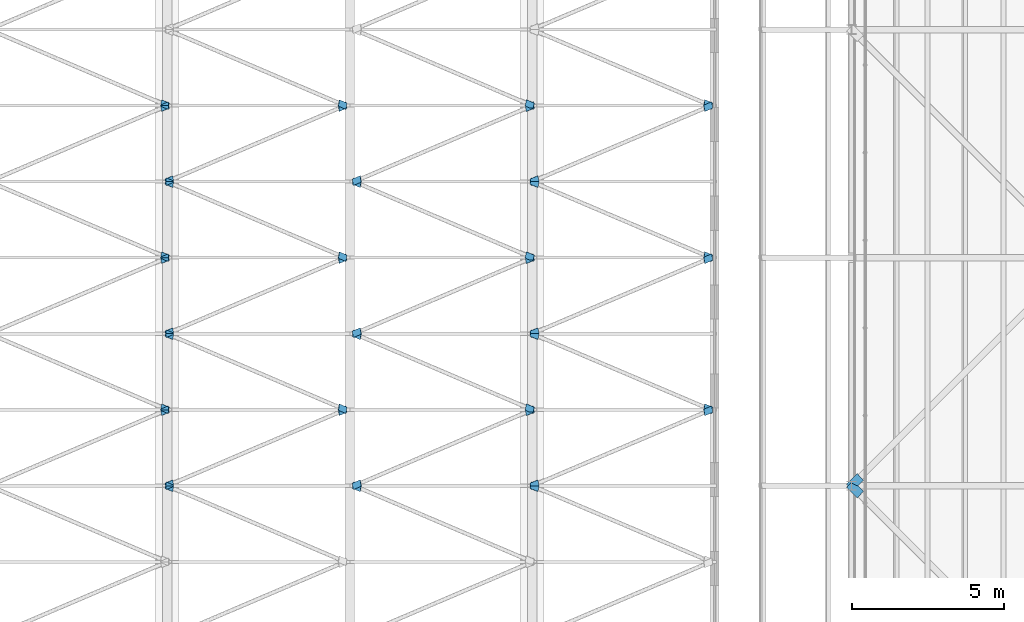
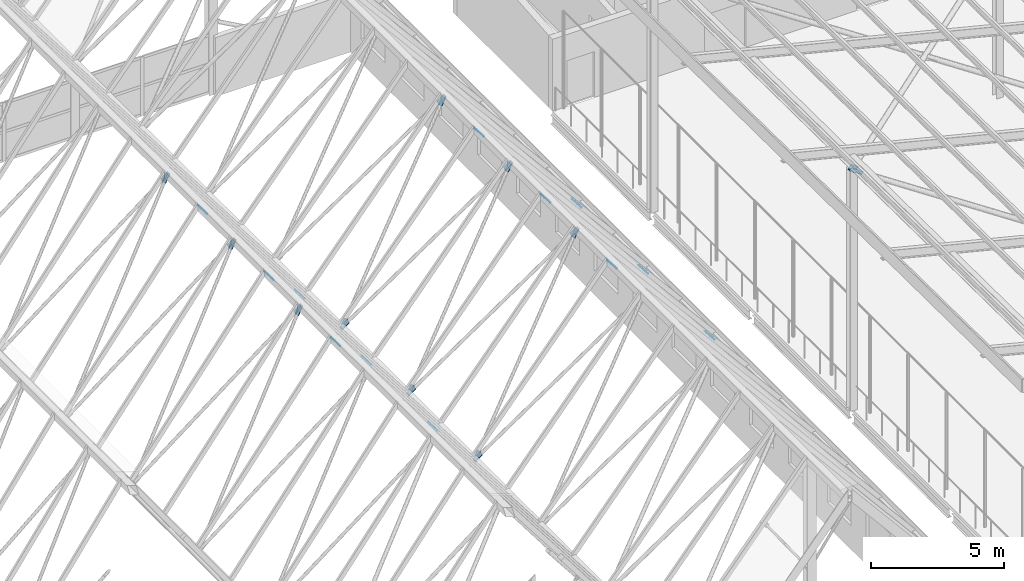
# One storey, part 430 of 483: 44 discrete accessories.
"""IFC4 building model written with IfcOpenShell, lengths in metres."""

from ifc_helpers import new_model, si_unit, direction, frame, origin, place, context, subcontext, project, spatial, polyline, outline, extrude, material, layer, layer_set, type_object, element, save


model = new_model("IFC4")

# Units and contexts
model_context = context("Model", 3, precision=1e-05, world=origin(), true_north=direction((0.0, 1.0)))
body_context = subcontext(model_context, "Body", "Model", "MODEL_VIEW")
ifc_project = project(units=[si_unit("LENGTHUNIT", "METRE"), si_unit("AREAUNIT", "SQUARE_METRE"), si_unit("VOLUMEUNIT", "CUBIC_METRE"), si_unit("PLANEANGLEUNIT", "RADIAN"), si_unit("MASSUNIT", "GRAM", prefix="KILO")], contexts=[model_context])

# Site, building, storey
site_placement = place(None, origin())
site = spatial("IfcSite", under=ifc_project, at=site_placement, CompositionType="ELEMENT")
building_placement = place(site_placement, origin())
building = spatial("IfcBuilding", under=site, at=building_placement, Name="Parallax Yard Mobility Hub", CompositionType="ELEMENT")
storey_placement = place(building_placement, frame((0.0, 0.0, 13.199951171875)))
storey = spatial("IfcBuildingStorey", under=building, at=storey_placement, Name="L04", CompositionType="ELEMENT", Elevation=13.199951171875)

# Discrete accessories
ifc_material = material(Name="Steel ASTM A36", Category="steel")
ifc_layer = layer(ifc_material, 0.011962890625)
ifc_layer_set = layer_set([ifc_layer], Name="Gusset plate PL12")
discrete_accessory_type = type_object("IfcDiscreteAccessoryType", Name="Gusset plate PL12", PredefinedType="BRACKET", material=ifc_layer_set)
discrete_accessory_1_placement = place(storey_placement, frame((75.216796875, 22.520751953125, 10.7568359375), z_axis=(0.793814652536, -8.9168627e-05, 0.608159756534), x_axis=(-0.588543803206, 0.251817654929, 0.768247395292)))
element("IfcDiscreteAccessory", 1, at=discrete_accessory_1_placement, inside=storey, type_object=discrete_accessory_type, Name="Gusset plate PL12 at end 2 of Plate diagonal plate F12-F13 bay 6", PredefinedType="BRACKET", context=body_context, shape_type="SweptSolid", body=[
    extrude(outline(polyline([(0.0, 0.0), (0.41979936098883397, -2.7755575615628914e-17), (0.4198409621977497, 0.21973808712240064), (4.1601208915741095e-05, 0.21973808712240064), (0.0, 0.0)])), origin(), (0.0, 0.0, -1.0), 0.011962890625),
])
discrete_accessory_2_placement = place(storey_placement, frame((81.381591796875, 22.51611328125, 3.6806640625), z_axis=(-0.766426841757, 0.000485063303, 0.642331426094), x_axis=(-0.619317240789, 0.264724925871, -0.739166333706)))
element("IfcDiscreteAccessory", 2, at=discrete_accessory_2_placement, inside=storey, type_object=discrete_accessory_type, Name="Gusset plate PL12 at end 2 of Plate diagonal plate F13-F14 bay 6", PredefinedType="BRACKET", context=body_context, shape_type="SweptSolid", body=[
    extrude(outline(polyline([(0.0, 0.0), (0.4196201041303643, 0.0), (0.41967912299094895, 0.2197701569995703), (2.9758828134156257e-05, 0.21976229757594196), (0.0, 0.0)])), origin(), (0.0, 0.0, -1.0), 0.011962890625),
])
discrete_accessory_3_placement = place(storey_placement, frame((87.22900390625, 22.516357421875, 10.112060546875), z_axis=(0.766560723471, 0.000412226513, 0.642171696123), x_axis=(-0.619460290951, 0.264070357105, 0.73928059249)))
element("IfcDiscreteAccessory", 3, at=discrete_accessory_3_placement, inside=storey, type_object=discrete_accessory_type, Name="Gusset plate PL12 at end 2 of Plate diagonal plate F14-F15 bay 6", PredefinedType="BRACKET", context=body_context, shape_type="SweptSolid", body=[
    extrude(outline(polyline([(0.0, 0.0), (0.41973603150491046, 0.0), (0.41954801679147935, 0.21991479661479002), (-0.00012354441140352557, 0.21967932216861122), (0.0, 0.0)])), origin(), (0.0, 0.0, -1.0), 0.011962890625),
])
for number, where, z_axis, x_axis, name in (
    (4, (74.81689453125, 24.80810546875, 10.80078125), (-0.793814652536, -8.9168627e-05, 0.608159756534), (0.588543803206, 0.251817654929, 0.768247395292), "Gusset plate PL12 at end 2 of Plate diagonal plate F11-F12 bay 7"),
    (5, (75.18310546875, 22.69189453125, 10.80078125), (0.793814652536, 8.9168627e-05, 0.608159756534), (-0.588543803206, -0.251817654929, 0.768247395292), "Gusset plate PL12 at end 1 of Plate diagonal plate F12-F13 bay 7"),
):
    element("IfcDiscreteAccessory", number, at=place(storey_placement, frame(where, z_axis=z_axis, x_axis=x_axis)), inside=storey, type_object=discrete_accessory_type, Name=name, PredefinedType="BRACKET", context=body_context, shape_type="SweptSolid", body=[
        extrude(outline(polyline([(0.0, 0.0), (0.41979936098883397, 2.7755575615628914e-17), (0.4197577597799182, 0.2197380871224007), (-4.1601208915741095e-05, 0.21973808712240064), (0.0, 0.0)])), origin(), (0.0, 0.0, -1.0), 0.011962890625),
    ])
discrete_accessory_4_placement = place(storey_placement, frame((80.664306640625, 24.80810546875, 3.6484375), z_axis=(0.793746279753, -0.000395732461, 0.60824886911), x_axis=(0.588740604162, 0.251731563359, -0.768124808231)))
element("IfcDiscreteAccessory", 6, at=discrete_accessory_4_placement, inside=storey, type_object=discrete_accessory_type, Name="Gusset plate PL12 at end 2 of Plate diagonal plate F12-F13 bay 7", PredefinedType="BRACKET", context=body_context, shape_type="SweptSolid", body=[
    extrude(outline(polyline([(0.0, 0.0), (0.4199430836483414, 0.0), (0.4198819319954805, 0.21973806118904854), (8.258384620210557e-05, 0.21970075370203399), (0.0, 0.0)])), origin(), (0.0, 0.0, -1.0), 0.011962890625),
])
discrete_accessory_5_placement = place(storey_placement, frame((81.343994140625, 22.69580078125, 3.63623046875), z_axis=(-0.766426841757, -0.000485063303, 0.642331426094), x_axis=(-0.619320432019, -0.264706865438, -0.739170127828)))
element("IfcDiscreteAccessory", 7, at=discrete_accessory_5_placement, inside=storey, type_object=discrete_accessory_type, Name="Gusset plate PL12 at end 1 of Plate diagonal plate F13-F14 bay 7", PredefinedType="BRACKET", context=body_context, shape_type="SweptSolid", body=[
    extrude(outline(polyline([(0.0, 0.0), (0.41964936423641264, 0.0), (0.4195862293997118, 0.2197701558556896), (-3.38746570599166e-05, 0.21976229698006056), (0.0, 0.0)])), origin(), (0.0, 0.0, -1.0), 0.011962890625),
])
discrete_accessory_6_placement = place(storey_placement, frame((86.808349609375, 24.80419921875, 10.15673828125), z_axis=(-0.766747811527, 0.000630720842, 0.641948125403), x_axis=(0.619177335166, 0.264706510349, 0.739290126402)))
element("IfcDiscreteAccessory", 8, at=discrete_accessory_6_placement, inside=storey, type_object=discrete_accessory_type, Name="Gusset plate PL12 at end 2 of Plate diagonal plate F13-F14 bay 7", PredefinedType="BRACKET", context=body_context, shape_type="SweptSolid", body=[
    extrude(outline(polyline([(0.0, 0.0), (0.41964938903380067, 0.0), (0.41973732919648377, 0.21972883072808136), (-6.32261789101779e-05, 0.21977020317984158), (0.0, 0.0)])), origin(), (0.0, 0.0, -1.0), 0.011962890625),
])
discrete_accessory_7_placement = place(storey_placement, frame((87.19189453125, 22.695556640625, 10.156494140625), z_axis=(0.766560723471, -0.000412226513, 0.642171696123), x_axis=(-0.619555171614, -0.263529140311, 0.739394199013)))
element("IfcDiscreteAccessory", 9, at=discrete_accessory_7_placement, inside=storey, type_object=discrete_accessory_type, Name="Gusset plate PL12 at end 1 of Plate diagonal plate F14-F15 bay 7", PredefinedType="BRACKET", context=body_context, shape_type="SweptSolid", body=[
    extrude(outline(polyline([(0.0, 0.0), (0.41967162726431706, 0.0), (0.41973624948705845, 0.21991486749109354), (2.840537202744575e-07, 0.21967935690820234), (0.0, 0.0)])), origin(), (0.0, 0.0, -1.0), 0.011962890625),
])
discrete_accessory_8_placement = place(storey_placement, frame((92.68115234375, 24.804443359375, 3.60595703125), z_axis=(0.766350564195, -6.0395944e-05, 0.642422609433), x_axis=(0.619726092025, 0.263529133346, -0.739250949774)))
element("IfcDiscreteAccessory", 10, at=discrete_accessory_8_placement, inside=storey, type_object=discrete_accessory_type, Name="Gusset plate PL12 at end 2 of Plate diagonal plate F14-F15 bay 7", PredefinedType="BRACKET", context=body_context, shape_type="SweptSolid", body=[
    extrude(outline(polyline([(0.0, 0.0), (0.41967161683953713, 0.0), (0.4197362599134438, 0.21991484759097396), (-0.0001509954088498508, 0.2197206583795808), (0.0, 0.0)])), origin(), (0.0, 0.0, -1.0), 0.011962890625),
])
discrete_accessory_9_placement = place(storey_placement, frame((74.783203125, 24.979248046875, 10.7568359375), z_axis=(-0.793814652536, 8.9168627e-05, 0.608159756534), x_axis=(0.588543803206, -0.251817654929, 0.768247395292)))
element("IfcDiscreteAccessory", 11, at=discrete_accessory_9_placement, inside=storey, type_object=discrete_accessory_type, Name="Gusset plate PL12 at end 1 of Plate diagonal plate F11-F12 bay 8", PredefinedType="BRACKET", context=body_context, shape_type="SweptSolid", body=[
    extrude(outline(polyline([(0.0, 0.0), (0.41979936098883397, -2.7755575615628914e-17), (0.4198409621977497, 0.21973808712240064), (4.1601208915741095e-05, 0.21973808712240064), (0.0, 0.0)])), origin(), (0.0, 0.0, -1.0), 0.011962890625),
])
discrete_accessory_10_placement = place(storey_placement, frame((80.630859375, 24.979248046875, 3.6923828125), z_axis=(0.793746279753, 0.000395732461, 0.60824886911), x_axis=(0.588727021511, -0.251817570299, -0.768107027328)))
element("IfcDiscreteAccessory", 12, at=discrete_accessory_10_placement, inside=storey, type_object=discrete_accessory_type, Name="Gusset plate PL12 at end 1 of Plate diagonal plate F12-F13 bay 8", PredefinedType="BRACKET", context=body_context, shape_type="SweptSolid", body=[
    extrude(outline(polyline([(0.0, 0.0), (0.41979934980703304, -4.163336342344337e-17), (0.41984097338065895, 0.2197380657558558), (-0.00010210860936022553, 0.21970074549524257), (0.0, 0.0)])), origin(), (0.0, 0.0, -1.0), 0.011962890625),
])
discrete_accessory_11_placement = place(storey_placement, frame((75.216796875, 27.520751953125, 10.7568359375), z_axis=(0.793814652536, -8.9168627e-05, 0.608159756534), x_axis=(-0.588543803206, 0.251817654929, 0.768247395292)))
element("IfcDiscreteAccessory", 13, at=discrete_accessory_11_placement, inside=storey, type_object=discrete_accessory_type, Name="Gusset plate PL12 at end 2 of Plate diagonal plate F12-F13 bay 8", PredefinedType="BRACKET", context=body_context, shape_type="SweptSolid", body=[
    extrude(outline(polyline([(0.0, 0.0), (0.41979936098883397, -2.7755575615628914e-17), (0.4198409621977497, 0.21973808712240064), (4.1601208915741095e-05, 0.21973808712240064), (0.0, 0.0)])), origin(), (0.0, 0.0, -1.0), 0.011962890625),
])
discrete_accessory_12_placement = place(storey_placement, frame((86.77099609375, 24.98388671875, 10.112060546875), z_axis=(-0.766747811527, -0.000630720842, 0.641948125403), x_axis=(0.619194033043, -0.264611471916, 0.739310163851)))
element("IfcDiscreteAccessory", 14, at=discrete_accessory_12_placement, inside=storey, type_object=discrete_accessory_type, Name="Gusset plate PL12 at end 1 of Plate diagonal plate F13-F14 bay 8", PredefinedType="BRACKET", context=body_context, shape_type="SweptSolid", body=[
    extrude(outline(polyline([(0.0, 0.0), (0.41980055741407596, 1.3877787807814457e-17), (0.4197342721074152, 0.21972883832774476), (8.488511156258538e-05, 0.21977019588146246), (0.0, 0.0)])), origin(), (0.0, 0.0, -1.0), 0.011962890625),
])
discrete_accessory_13_placement = place(storey_placement, frame((81.381591796875, 27.51611328125, 3.6806640625), z_axis=(-0.766426841757, 0.000485063303, 0.642331426094), x_axis=(-0.619317240789, 0.264724925871, -0.739166333706)))
element("IfcDiscreteAccessory", 15, at=discrete_accessory_13_placement, inside=storey, type_object=discrete_accessory_type, Name="Gusset plate PL12 at end 2 of Plate diagonal plate F13-F14 bay 8", PredefinedType="BRACKET", context=body_context, shape_type="SweptSolid", body=[
    extrude(outline(polyline([(0.0, 0.0), (0.4196201041303643, 0.0), (0.41967912299094895, 0.2197701569995703), (2.9758828134156257e-05, 0.21976229757594196), (0.0, 0.0)])), origin(), (0.0, 0.0, -1.0), 0.011962890625),
])
discrete_accessory_14_placement = place(storey_placement, frame((92.643798828125, 24.983642578125, 3.650390625), z_axis=(0.766350564195, 6.0395944e-05, 0.642422609433), x_axis=(0.619647749995, -0.263975236545, -0.739157453062)))
element("IfcDiscreteAccessory", 16, at=discrete_accessory_14_placement, inside=storey, type_object=discrete_accessory_type, Name="Gusset plate PL12 at end 1 of Plate diagonal plate F14-F15 bay 8", PredefinedType="BRACKET", context=body_context, shape_type="SweptSolid", body=[
    extrude(outline(polyline([(0.0, 0.0), (0.4198873002265475, 0.0), (0.41972095108079355, 0.2199147941764037), (4.937912244436238e-05, 0.21972070471412608), (0.0, 0.0)])), origin(), (0.0, 0.0, -1.0), 0.011962890625),
])
discrete_accessory_15_placement = place(storey_placement, frame((87.22900390625, 27.516357421875, 10.112060546875), z_axis=(0.766560723471, 0.000412226513, 0.642171696123), x_axis=(-0.619460290951, 0.264070357105, 0.73928059249)))
element("IfcDiscreteAccessory", 17, at=discrete_accessory_15_placement, inside=storey, type_object=discrete_accessory_type, Name="Gusset plate PL12 at end 2 of Plate diagonal plate F14-F15 bay 8", PredefinedType="BRACKET", context=body_context, shape_type="SweptSolid", body=[
    extrude(outline(polyline([(0.0, 0.0), (0.41973603150491046, 0.0), (0.41954801679147935, 0.21991479661479002), (-0.00012354441140352557, 0.21967932216861122), (0.0, 0.0)])), origin(), (0.0, 0.0, -1.0), 0.011962890625),
])
for number, where, z_axis, x_axis, name in (
    (18, (74.81689453125, 29.80810546875, 10.80078125), (-0.793814652536, -8.9168627e-05, 0.608159756534), (0.588543803206, 0.251817654929, 0.768247395292), "Gusset plate PL12 at end 2 of Plate diagonal plate F11-F12 bay 9"),
    (19, (75.18310546875, 27.69189453125, 10.80078125), (0.793814652536, 8.9168627e-05, 0.608159756534), (-0.588543803206, -0.251817654929, 0.768247395292), "Gusset plate PL12 at end 1 of Plate diagonal plate F12-F13 bay 9"),
):
    element("IfcDiscreteAccessory", number, at=place(storey_placement, frame(where, z_axis=z_axis, x_axis=x_axis)), inside=storey, type_object=discrete_accessory_type, Name=name, PredefinedType="BRACKET", context=body_context, shape_type="SweptSolid", body=[
        extrude(outline(polyline([(0.0, 0.0), (0.41979936098883397, 2.7755575615628914e-17), (0.4197577597799182, 0.2197380871224007), (-4.1601208915741095e-05, 0.21973808712240064), (0.0, 0.0)])), origin(), (0.0, 0.0, -1.0), 0.011962890625),
    ])
discrete_accessory_16_placement = place(storey_placement, frame((80.664306640625, 29.80810546875, 3.6484375), z_axis=(0.793746279753, -0.000395732461, 0.60824886911), x_axis=(0.588740604162, 0.251731563359, -0.768124808231)))
element("IfcDiscreteAccessory", 20, at=discrete_accessory_16_placement, inside=storey, type_object=discrete_accessory_type, Name="Gusset plate PL12 at end 2 of Plate diagonal plate F12-F13 bay 9", PredefinedType="BRACKET", context=body_context, shape_type="SweptSolid", body=[
    extrude(outline(polyline([(0.0, 0.0), (0.4199430836483414, 0.0), (0.4198819319954805, 0.21973806118904854), (8.258384620210557e-05, 0.21970075370203399), (0.0, 0.0)])), origin(), (0.0, 0.0, -1.0), 0.011962890625),
])
discrete_accessory_17_placement = place(storey_placement, frame((81.343994140625, 27.69580078125, 3.63623046875), z_axis=(-0.766426841757, -0.000485063303, 0.642331426094), x_axis=(-0.619320432019, -0.264706865438, -0.739170127828)))
element("IfcDiscreteAccessory", 21, at=discrete_accessory_17_placement, inside=storey, type_object=discrete_accessory_type, Name="Gusset plate PL12 at end 1 of Plate diagonal plate F13-F14 bay 9", PredefinedType="BRACKET", context=body_context, shape_type="SweptSolid", body=[
    extrude(outline(polyline([(0.0, 0.0), (0.41964936423641264, 0.0), (0.4195862293997118, 0.2197701558556896), (-3.38746570599166e-05, 0.21976229698006056), (0.0, 0.0)])), origin(), (0.0, 0.0, -1.0), 0.011962890625),
])
discrete_accessory_18_placement = place(storey_placement, frame((86.808349609375, 29.80419921875, 10.15673828125), z_axis=(-0.766747811527, 0.000630720842, 0.641948125403), x_axis=(0.619177335166, 0.264706510349, 0.739290126402)))
element("IfcDiscreteAccessory", 22, at=discrete_accessory_18_placement, inside=storey, type_object=discrete_accessory_type, Name="Gusset plate PL12 at end 2 of Plate diagonal plate F13-F14 bay 9", PredefinedType="BRACKET", context=body_context, shape_type="SweptSolid", body=[
    extrude(outline(polyline([(0.0, 0.0), (0.41964938903380067, 0.0), (0.41973732919648377, 0.21972883072808136), (-6.32261789101779e-05, 0.21977020317984158), (0.0, 0.0)])), origin(), (0.0, 0.0, -1.0), 0.011962890625),
])
discrete_accessory_19_placement = place(storey_placement, frame((87.19189453125, 27.695556640625, 10.156494140625), z_axis=(0.766560723471, -0.000412226513, 0.642171696123), x_axis=(-0.619555171614, -0.263529140311, 0.739394199013)))
element("IfcDiscreteAccessory", 23, at=discrete_accessory_19_placement, inside=storey, type_object=discrete_accessory_type, Name="Gusset plate PL12 at end 1 of Plate diagonal plate F14-F15 bay 9", PredefinedType="BRACKET", context=body_context, shape_type="SweptSolid", body=[
    extrude(outline(polyline([(0.0, 0.0), (0.41967162726431706, 0.0), (0.41973624948705845, 0.21991486749109354), (2.840537202744575e-07, 0.21967935690820234), (0.0, 0.0)])), origin(), (0.0, 0.0, -1.0), 0.011962890625),
])
discrete_accessory_20_placement = place(storey_placement, frame((92.68115234375, 29.804443359375, 3.60595703125), z_axis=(0.766350564195, -6.0395944e-05, 0.642422609433), x_axis=(0.619726092025, 0.263529133346, -0.739250949774)))
element("IfcDiscreteAccessory", 24, at=discrete_accessory_20_placement, inside=storey, type_object=discrete_accessory_type, Name="Gusset plate PL12 at end 2 of Plate diagonal plate F14-F15 bay 9", PredefinedType="BRACKET", context=body_context, shape_type="SweptSolid", body=[
    extrude(outline(polyline([(0.0, 0.0), (0.41967161683953713, 0.0), (0.4197362599134438, 0.21991484759097396), (-0.0001509954088498508, 0.2197206583795808), (0.0, 0.0)])), origin(), (0.0, 0.0, -1.0), 0.011962890625),
])
discrete_accessory_21_placement = place(storey_placement, frame((74.783203125, 29.979248046875, 10.7568359375), z_axis=(-0.793814652536, 8.9168627e-05, 0.608159756534), x_axis=(0.588543803206, -0.251817654929, 0.768247395292)))
element("IfcDiscreteAccessory", 25, at=discrete_accessory_21_placement, inside=storey, type_object=discrete_accessory_type, Name="Gusset plate PL12 at end 1 of Plate diagonal plate F11-F12 bay 10", PredefinedType="BRACKET", context=body_context, shape_type="SweptSolid", body=[
    extrude(outline(polyline([(0.0, 0.0), (0.41979936098883397, -2.7755575615628914e-17), (0.4198409621977497, 0.21973808712240064), (4.1601208915741095e-05, 0.21973808712240064), (0.0, 0.0)])), origin(), (0.0, 0.0, -1.0), 0.011962890625),
])
discrete_accessory_22_placement = place(storey_placement, frame((80.630859375, 29.979248046875, 3.6923828125), z_axis=(0.793746279753, 0.000395732461, 0.60824886911), x_axis=(0.588727021511, -0.251817570299, -0.768107027328)))
element("IfcDiscreteAccessory", 26, at=discrete_accessory_22_placement, inside=storey, type_object=discrete_accessory_type, Name="Gusset plate PL12 at end 1 of Plate diagonal plate F12-F13 bay 10", PredefinedType="BRACKET", context=body_context, shape_type="SweptSolid", body=[
    extrude(outline(polyline([(0.0, 0.0), (0.41979934980703304, -4.163336342344337e-17), (0.41984097338065895, 0.2197380657558558), (-0.00010210860936022553, 0.21970074549524257), (0.0, 0.0)])), origin(), (0.0, 0.0, -1.0), 0.011962890625),
])
discrete_accessory_23_placement = place(storey_placement, frame((75.216796875, 32.520751953125, 10.7568359375), z_axis=(0.793814652536, -8.9168627e-05, 0.608159756534), x_axis=(-0.588543803206, 0.251817654929, 0.768247395292)))
element("IfcDiscreteAccessory", 27, at=discrete_accessory_23_placement, inside=storey, type_object=discrete_accessory_type, Name="Gusset plate PL12 at end 2 of Plate diagonal plate F12-F13 bay 10", PredefinedType="BRACKET", context=body_context, shape_type="SweptSolid", body=[
    extrude(outline(polyline([(0.0, 0.0), (0.41979936098883397, -2.7755575615628914e-17), (0.4198409621977497, 0.21973808712240064), (4.1601208915741095e-05, 0.21973808712240064), (0.0, 0.0)])), origin(), (0.0, 0.0, -1.0), 0.011962890625),
])
discrete_accessory_24_placement = place(storey_placement, frame((86.77099609375, 29.98388671875, 10.112060546875), z_axis=(-0.766747811527, -0.000630720842, 0.641948125403), x_axis=(0.619194033043, -0.264611471916, 0.739310163851)))
element("IfcDiscreteAccessory", 28, at=discrete_accessory_24_placement, inside=storey, type_object=discrete_accessory_type, Name="Gusset plate PL12 at end 1 of Plate diagonal plate F13-F14 bay 10", PredefinedType="BRACKET", context=body_context, shape_type="SweptSolid", body=[
    extrude(outline(polyline([(0.0, 0.0), (0.41980055741407596, 1.3877787807814457e-17), (0.4197342721074152, 0.21972883832774476), (8.488511156258538e-05, 0.21977019588146246), (0.0, 0.0)])), origin(), (0.0, 0.0, -1.0), 0.011962890625),
])
discrete_accessory_25_placement = place(storey_placement, frame((81.381591796875, 32.51611328125, 3.6806640625), z_axis=(-0.766426841757, 0.000485063303, 0.642331426094), x_axis=(-0.619317240789, 0.264724925871, -0.739166333706)))
element("IfcDiscreteAccessory", 29, at=discrete_accessory_25_placement, inside=storey, type_object=discrete_accessory_type, Name="Gusset plate PL12 at end 2 of Plate diagonal plate F13-F14 bay 10", PredefinedType="BRACKET", context=body_context, shape_type="SweptSolid", body=[
    extrude(outline(polyline([(0.0, 0.0), (0.4196201041303643, 0.0), (0.41967912299094895, 0.2197701569995703), (2.9758828134156257e-05, 0.21976229757594196), (0.0, 0.0)])), origin(), (0.0, 0.0, -1.0), 0.011962890625),
])
discrete_accessory_26_placement = place(storey_placement, frame((92.643798828125, 29.983642578125, 3.650390625), z_axis=(0.766350564195, 6.0395944e-05, 0.642422609433), x_axis=(0.619647749995, -0.263975236545, -0.739157453062)))
element("IfcDiscreteAccessory", 30, at=discrete_accessory_26_placement, inside=storey, type_object=discrete_accessory_type, Name="Gusset plate PL12 at end 1 of Plate diagonal plate F14-F15 bay 10", PredefinedType="BRACKET", context=body_context, shape_type="SweptSolid", body=[
    extrude(outline(polyline([(0.0, 0.0), (0.4198873002265475, 0.0), (0.41972095108079355, 0.2199147941764037), (4.937912244436238e-05, 0.21972070471412608), (0.0, 0.0)])), origin(), (0.0, 0.0, -1.0), 0.011962890625),
])
discrete_accessory_27_placement = place(storey_placement, frame((87.22900390625, 32.516357421875, 10.112060546875), z_axis=(0.766560723471, 0.000412226513, 0.642171696123), x_axis=(-0.619460290951, 0.264070357105, 0.73928059249)))
element("IfcDiscreteAccessory", 31, at=discrete_accessory_27_placement, inside=storey, type_object=discrete_accessory_type, Name="Gusset plate PL12 at end 2 of Plate diagonal plate F14-F15 bay 10", PredefinedType="BRACKET", context=body_context, shape_type="SweptSolid", body=[
    extrude(outline(polyline([(0.0, 0.0), (0.41973603150491046, 0.0), (0.41954801679147935, 0.21991479661479002), (-0.00012354441140352557, 0.21967932216861122), (0.0, 0.0)])), origin(), (0.0, 0.0, -1.0), 0.011962890625),
])
for number, where, z_axis, x_axis, name in (
    (32, (74.81689453125, 34.80810546875, 10.80078125), (-0.793814652536, -8.9168627e-05, 0.608159756534), (0.588543803206, 0.251817654929, 0.768247395292), "Gusset plate PL12 at end 2 of Plate diagonal plate F11-F12 bay 11"),
    (33, (75.18310546875, 32.69189453125, 10.80078125), (0.793814652536, 8.9168627e-05, 0.608159756534), (-0.588543803206, -0.251817654929, 0.768247395292), "Gusset plate PL12 at end 1 of Plate diagonal plate F12-F13 bay 11"),
):
    element("IfcDiscreteAccessory", number, at=place(storey_placement, frame(where, z_axis=z_axis, x_axis=x_axis)), inside=storey, type_object=discrete_accessory_type, Name=name, PredefinedType="BRACKET", context=body_context, shape_type="SweptSolid", body=[
        extrude(outline(polyline([(0.0, 0.0), (0.41979936098883397, 2.7755575615628914e-17), (0.4197577597799182, 0.2197380871224007), (-4.1601208915741095e-05, 0.21973808712240064), (0.0, 0.0)])), origin(), (0.0, 0.0, -1.0), 0.011962890625),
    ])
discrete_accessory_28_placement = place(storey_placement, frame((80.664306640625, 34.80810546875, 3.6484375), z_axis=(0.793746279753, -0.000395732461, 0.60824886911), x_axis=(0.588740604162, 0.251731563359, -0.768124808231)))
element("IfcDiscreteAccessory", 34, at=discrete_accessory_28_placement, inside=storey, type_object=discrete_accessory_type, Name="Gusset plate PL12 at end 2 of Plate diagonal plate F12-F13 bay 11", PredefinedType="BRACKET", context=body_context, shape_type="SweptSolid", body=[
    extrude(outline(polyline([(0.0, 0.0), (0.4199430836483414, 0.0), (0.4198819319954805, 0.21973806118904854), (8.258384620210557e-05, 0.21970075370203399), (0.0, 0.0)])), origin(), (0.0, 0.0, -1.0), 0.011962890625),
])
discrete_accessory_29_placement = place(storey_placement, frame((81.343994140625, 32.69580078125, 3.63623046875), z_axis=(-0.766426841757, -0.000485063303, 0.642331426094), x_axis=(-0.619320432019, -0.264706865438, -0.739170127828)))
element("IfcDiscreteAccessory", 35, at=discrete_accessory_29_placement, inside=storey, type_object=discrete_accessory_type, Name="Gusset plate PL12 at end 1 of Plate diagonal plate F13-F14 bay 11", PredefinedType="BRACKET", context=body_context, shape_type="SweptSolid", body=[
    extrude(outline(polyline([(0.0, 0.0), (0.41964936423641264, 0.0), (0.4195862293997118, 0.2197701558556896), (-3.38746570599166e-05, 0.21976229698006056), (0.0, 0.0)])), origin(), (0.0, 0.0, -1.0), 0.011962890625),
])
discrete_accessory_30_placement = place(storey_placement, frame((86.808349609375, 34.80419921875, 10.15673828125), z_axis=(-0.766747811527, 0.000630720842, 0.641948125403), x_axis=(0.619177335166, 0.264706510349, 0.739290126402)))
element("IfcDiscreteAccessory", 36, at=discrete_accessory_30_placement, inside=storey, type_object=discrete_accessory_type, Name="Gusset plate PL12 at end 2 of Plate diagonal plate F13-F14 bay 11", PredefinedType="BRACKET", context=body_context, shape_type="SweptSolid", body=[
    extrude(outline(polyline([(0.0, 0.0), (0.41964938903380067, 0.0), (0.41973732919648377, 0.21972883072808136), (-6.32261789101779e-05, 0.21977020317984158), (0.0, 0.0)])), origin(), (0.0, 0.0, -1.0), 0.011962890625),
])
discrete_accessory_31_placement = place(storey_placement, frame((87.19189453125, 32.695556640625, 10.156494140625), z_axis=(0.766560723471, -0.000412226513, 0.642171696123), x_axis=(-0.619555171614, -0.263529140311, 0.739394199013)))
element("IfcDiscreteAccessory", 37, at=discrete_accessory_31_placement, inside=storey, type_object=discrete_accessory_type, Name="Gusset plate PL12 at end 1 of Plate diagonal plate F14-F15 bay 11", PredefinedType="BRACKET", context=body_context, shape_type="SweptSolid", body=[
    extrude(outline(polyline([(0.0, 0.0), (0.41967162726431706, 0.0), (0.41973624948705845, 0.21991486749109354), (2.840537202744575e-07, 0.21967935690820234), (0.0, 0.0)])), origin(), (0.0, 0.0, -1.0), 0.011962890625),
])
discrete_accessory_32_placement = place(storey_placement, frame((92.68115234375, 34.804443359375, 3.60595703125), z_axis=(0.766350564195, -6.0395944e-05, 0.642422609433), x_axis=(0.619726092025, 0.263529133346, -0.739250949774)))
element("IfcDiscreteAccessory", 38, at=discrete_accessory_32_placement, inside=storey, type_object=discrete_accessory_type, Name="Gusset plate PL12 at end 2 of Plate diagonal plate F14-F15 bay 11", PredefinedType="BRACKET", context=body_context, shape_type="SweptSolid", body=[
    extrude(outline(polyline([(0.0, 0.0), (0.41967161683953713, 0.0), (0.4197362599134438, 0.21991484759097396), (-0.0001509954088498508, 0.2197206583795808), (0.0, 0.0)])), origin(), (0.0, 0.0, -1.0), 0.011962890625),
])
discrete_accessory_33_placement = place(storey_placement, frame((74.783203125, 34.979248046875, 10.7568359375), z_axis=(-0.793814652536, 8.9168627e-05, 0.608159756534), x_axis=(0.588543803206, -0.251817654929, 0.768247395292)))
element("IfcDiscreteAccessory", 39, at=discrete_accessory_33_placement, inside=storey, type_object=discrete_accessory_type, Name="Gusset plate PL12 at end 1 of Plate diagonal plate F11-F12 bay 12", PredefinedType="BRACKET", context=body_context, shape_type="SweptSolid", body=[
    extrude(outline(polyline([(0.0, 0.0), (0.41979936098883397, -2.7755575615628914e-17), (0.4198409621977497, 0.21973808712240064), (4.1601208915741095e-05, 0.21973808712240064), (0.0, 0.0)])), origin(), (0.0, 0.0, -1.0), 0.011962890625),
])
discrete_accessory_34_placement = place(storey_placement, frame((80.630859375, 34.979248046875, 3.6923828125), z_axis=(0.793746279753, 0.000395732461, 0.60824886911), x_axis=(0.588727021511, -0.251817570299, -0.768107027328)))
element("IfcDiscreteAccessory", 40, at=discrete_accessory_34_placement, inside=storey, type_object=discrete_accessory_type, Name="Gusset plate PL12 at end 1 of Plate diagonal plate F12-F13 bay 12", PredefinedType="BRACKET", context=body_context, shape_type="SweptSolid", body=[
    extrude(outline(polyline([(0.0, 0.0), (0.41979934980703304, -4.163336342344337e-17), (0.41984097338065895, 0.2197380657558558), (-0.00010210860936022553, 0.21970074549524257), (0.0, 0.0)])), origin(), (0.0, 0.0, -1.0), 0.011962890625),
])
discrete_accessory_35_placement = place(storey_placement, frame((86.77099609375, 34.98388671875, 10.112060546875), z_axis=(-0.766747811527, -0.000630720842, 0.641948125403), x_axis=(0.619194033043, -0.264611471916, 0.739310163851)))
element("IfcDiscreteAccessory", 41, at=discrete_accessory_35_placement, inside=storey, type_object=discrete_accessory_type, Name="Gusset plate PL12 at end 1 of Plate diagonal plate F13-F14 bay 12", PredefinedType="BRACKET", context=body_context, shape_type="SweptSolid", body=[
    extrude(outline(polyline([(0.0, 0.0), (0.41980055741407596, 1.3877787807814457e-17), (0.4197342721074152, 0.21972883832774476), (8.488511156258538e-05, 0.21977019588146246), (0.0, 0.0)])), origin(), (0.0, 0.0, -1.0), 0.011962890625),
])
discrete_accessory_36_placement = place(storey_placement, frame((92.643798828125, 34.983642578125, 3.650390625), z_axis=(0.766350564195, 6.0395944e-05, 0.642422609433), x_axis=(0.619647749995, -0.263975236545, -0.739157453062)))
element("IfcDiscreteAccessory", 42, at=discrete_accessory_36_placement, inside=storey, type_object=discrete_accessory_type, Name="Gusset plate PL12 at end 1 of Plate diagonal plate F14-F15 bay 12", PredefinedType="BRACKET", context=body_context, shape_type="SweptSolid", body=[
    extrude(outline(polyline([(0.0, 0.0), (0.4198873002265475, 0.0), (0.41972095108079355, 0.2199147941764037), (4.937912244436238e-05, 0.21972070471412608), (0.0, 0.0)])), origin(), (0.0, 0.0, -1.0), 0.011962890625),
])
discrete_accessory_37_placement = place(storey_placement, frame((97.89306640625, 22.31494140625, 10.864013671875), z_axis=(0.242799628233, 0.010075493116, 0.970024136281), x_axis=(-0.696916523489, 0.697389940708, 0.167196381202)))
element("IfcDiscreteAccessory", 43, at=discrete_accessory_37_placement, inside=storey, type_object=discrete_accessory_type, Name="Gusset plate PL12 at end 2 of Roof X brace west wing bay 1 2 (half 2)", PredefinedType="BRACKET", context=body_context, shape_type="SweptSolid", body=[
    extrude(outline(polyline([(0.0, 0.0), (0.4992102694806584, -1.734723475976807e-17), (0.4990780979430658, 0.2993313102983865), (-0.00013205595721666775, 0.29899160776985756), (0.0, 0.0)])), origin(), (0.0, 0.0, -1.0), 0.011962890625),
])
discrete_accessory_38_placement = place(storey_placement, frame((97.690185546875, 22.89892578125, 10.908935546875), z_axis=(0.242586631281, 0.009570044541, 0.970082543174), x_axis=(-0.695253425291, -0.695673525253, 0.180723603557)))
element("IfcDiscreteAccessory", 44, at=discrete_accessory_38_placement, inside=storey, type_object=discrete_accessory_type, Name="Gusset plate PL12 at end 1 of Roof X brace west wing bay 2 1", PredefinedType="BRACKET", context=body_context, shape_type="SweptSolid", body=[
    extrude(outline(polyline([(0.0, 0.0), (0.4990406746984735, -4.336808689942018e-17), (0.49917711731915465, 0.2989685446761357), (1.0824988421972298e-05, 0.29909415082477275), (0.0, 0.0)])), origin(), (0.0, 0.0, -1.0), 0.011962890625),
])

save(model, "model.ifc")
